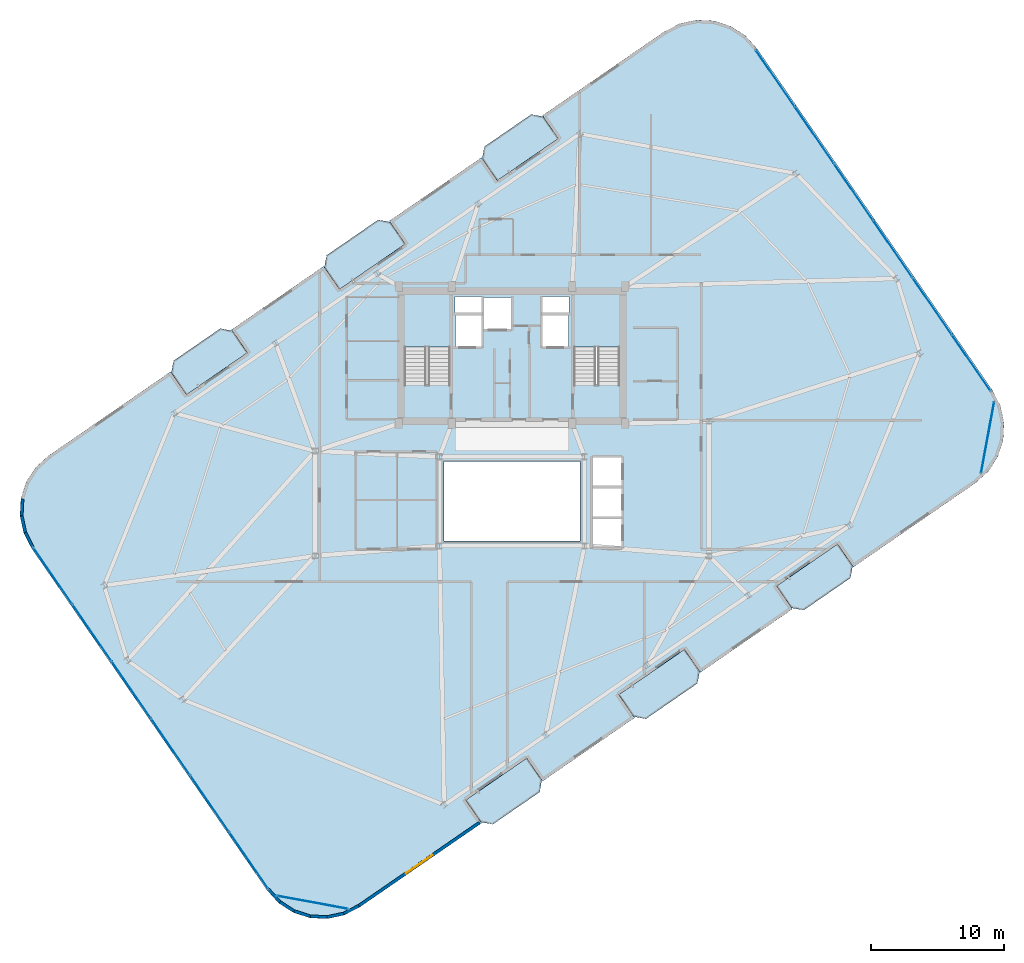
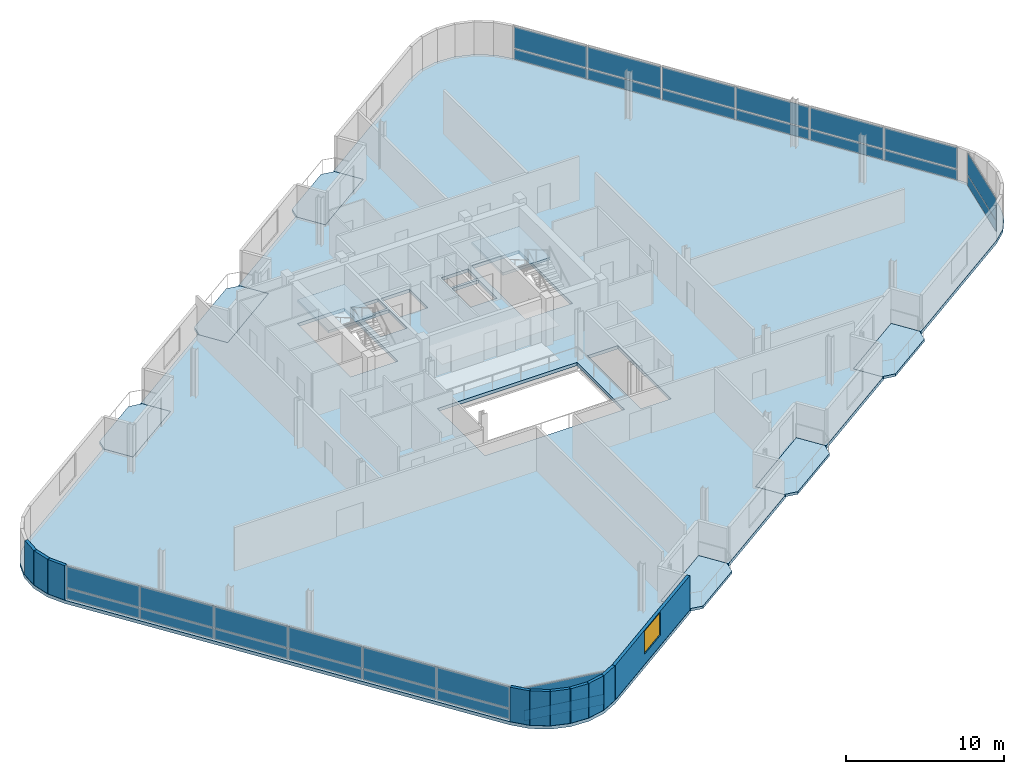
# One storey, part 16 of 23: 28 plates, 10 walls, 9 slabs, 1 window, 1 opening, 6 elements without a shape of their own.
"""IFC4 building model written with IfcOpenShell, lengths in metres."""

from ifc_helpers import new_model, si_unit, direction, frame, frame_2d, origin, origin_2d, place, context, subcontext, project, spatial, polyline, rectangle, outline, extrude, source, transform, mapped, material, layer, layer_set, type_object, element, fill, aggregate, save


model = new_model("IFC4")

# Units and contexts
model_context = context("Model", 3, precision=1e-05, world=origin(), true_north=direction((0.0, 1.0)))
body_context = subcontext(model_context, "Body", "Model", "MODEL_VIEW")
ifc_project = project(units=[si_unit("LENGTHUNIT", "METRE"), si_unit("AREAUNIT", "SQUARE_METRE"), si_unit("VOLUMEUNIT", "CUBIC_METRE"), si_unit("PLANEANGLEUNIT", "RADIAN"), si_unit("MASSUNIT", "GRAM", prefix="KILO")], contexts=[model_context])

# Site, building, storey
site_placement = place(None, origin())
site = spatial("IfcSite", under=ifc_project, at=site_placement, CompositionType="ELEMENT")
building_placement = place(site_placement, origin())
building = spatial("IfcBuilding", under=site, at=building_placement, Name="Varnelok Gate Tower", CompositionType="ELEMENT")
storey_placement = place(building_placement, frame((0.0, 0.0, 287.800048828125)))
storey = spatial("IfcBuildingStorey", under=building, at=storey_placement, Name="L74", CompositionType="ELEMENT", Elevation=287.800048828125)

# Slabs
ifc_material_1 = material(Name="Concrete C45/55", Category="concrete")
ifc_layer_1 = layer(ifc_material_1, 0.199951171875)
ifc_layer_set_1 = layer_set([ifc_layer_1], Name="Concrete C45/55")
slab_type_1 = type_object("IfcSlabType", Name="SLB-BALC-200", PredefinedType="FLOOR", material=ifc_layer_set_1)
slab_1_placement = place(storey_placement, frame((0.0, 0.0, -0.199951171875)))
element("IfcSlab", 1, at=slab_1_placement, inside=storey, type_object=slab_type_1, Name="L74 South Hollow Balcony 1", PredefinedType="FLOOR", context=body_context, shape_type="SweptSolid", body=[
    extrude(outline(polyline([(36.856201171875, -1.207275390625), (37.76025390625, -1.373779296875), (41.274169921875, 1.046630859375), (41.440673828125, 1.95068359375), (40.30615234375, 3.597900390625), (35.7216796875, 0.439697265625), (36.856201171875, -1.207275390625)])), origin(), (0.0, 0.0, 1.0), 0.199951171875),
])
slab_2_placement = place(storey_placement, frame((0.0, 0.0, -0.199951171875)))
element("IfcSlab", 2, at=slab_2_placement, inside=storey, type_object=slab_type_1, Name="L74 South Hollow Balcony 2", PredefinedType="FLOOR", context=body_context, shape_type="SweptSolid", body=[
    extrude(outline(polyline([(48.3583984375, 6.7158203125), (49.262451171875, 6.54931640625), (53.133056640625, 9.21533203125), (53.299560546875, 10.119384765625), (52.1650390625, 11.7666015625), (47.223876953125, 8.36279296875), (48.3583984375, 6.7158203125)])), origin(), (0.0, 0.0, 1.0), 0.199951171875),
])
slab_3_placement = place(storey_placement, frame((0.0, 0.0, -0.199951171875)))
element("IfcSlab", 3, at=slab_3_placement, inside=storey, type_object=slab_type_1, Name="L74 South Hollow Balcony 3", PredefinedType="FLOOR", context=body_context, shape_type="SweptSolid", body=[
    extrude(outline(polyline([(60.21728515625, 14.884521484375), (61.121337890625, 14.718017578125), (64.63525390625, 17.138427734375), (64.802001953125, 18.04248046875), (63.66748046875, 19.689453125), (59.082763671875, 16.531494140625), (60.21728515625, 14.884521484375)])), origin(), (0.0, 0.0, 1.0), 0.199951171875),
])
slab_4_placement = place(storey_placement, frame((0.0, 0.0, -0.199951171875)))
element("IfcSlab", 4, at=slab_4_placement, inside=storey, type_object=slab_type_1, Name="L74 North Hollow Balcony 1", PredefinedType="FLOOR", context=body_context, shape_type="SweptSolid", body=[
    extrude(outline(polyline([(14.732666015625, 30.910400390625), (19.3173828125, 34.068603515625), (18.1826171875, 35.715576171875), (17.27880859375, 35.882080078125), (13.7646484375, 33.461669921875), (13.59814453125, 32.5576171875), (14.732666015625, 30.910400390625)])), origin(), (0.0, 0.0, 1.0), 0.199951171875),
])
slab_5_placement = place(storey_placement, frame((0.0, 0.0, -0.199951171875)))
element("IfcSlab", 5, at=slab_5_placement, inside=storey, type_object=slab_type_1, Name="L74 North Hollow Balcony 2", PredefinedType="FLOOR", context=body_context, shape_type="SweptSolid", body=[
    extrude(outline(polyline([(26.23486328125, 38.83349609375), (31.176025390625, 42.2373046875), (30.04150390625, 43.88427734375), (29.1376953125, 44.05078125), (25.26708984375, 41.384521484375), (25.100341796875, 40.480712890625), (26.23486328125, 38.83349609375)])), origin(), (0.0, 0.0, 1.0), 0.199951171875),
])
slab_6_placement = place(storey_placement, frame((0.0, 0.0, -0.199951171875)))
element("IfcSlab", 6, at=slab_6_placement, inside=storey, type_object=slab_type_1, Name="L74 North Hollow Balcony 3", PredefinedType="FLOOR", context=body_context, shape_type="SweptSolid", body=[
    extrude(outline(polyline([(38.09375, 47.002197265625), (42.678466796875, 50.16015625), (41.5439453125, 51.807373046875), (40.639892578125, 51.973876953125), (37.125732421875, 49.55322265625), (36.959228515625, 48.6494140625), (38.09375, 47.002197265625)])), origin(), (0.0, 0.0, 1.0), 0.199951171875),
])

# Stair, slab
ifc_material_2 = material(Name="Concrete C50/60", Category="concrete")
stair_type = type_object("IfcStairType", Name="STR-CORE-1650", PredefinedType="HALF_TURN_STAIR", material=ifc_material_2)
stair_1_placement = place(storey_placement, origin())
stair_1 = element("IfcStair", 7, at=stair_1_placement, inside=storey, type_object=stair_type, Name="L74 Exit Stair ST-1", PredefinedType="HALF_TURN_STAIR")
ifc_layer_2 = layer(ifc_material_1, 0.199951171875)
ifc_layer_set_2 = layer_set([ifc_layer_2], Name="Concrete C45/55")
slab_type_2 = type_object("IfcSlabType", Name="SLB-LAND-200", PredefinedType="LANDING", material=ifc_layer_set_2)
slab_7_placement = place(storey_placement, frame((0.0, 0.0, 1.64990234375)))
slab_7 = element("IfcSlab", 8, at=slab_7_placement, type_object=slab_type_2, Name="ST-1 landing 1", PredefinedType="LANDING", context=body_context, shape_type="SweptSolid", body=[
    extrude(outline(polyline([(34.550048828125, 34.5), (34.550048828125, 38.449951171875), (31.10009765625, 38.449951171875), (31.10009765625, 34.5), (34.550048828125, 34.5)])), origin(), (0.0, 0.0, 1.0), 0.199951171875),
])
aggregate(stair_1, [slab_7])

stair_2_placement = place(storey_placement, origin())
stair_2 = element("IfcStair", 9, at=stair_2_placement, inside=storey, type_object=stair_type, Name="L74 Exit Stair ST-2", PredefinedType="HALF_TURN_STAIR")
slab_8_placement = place(storey_placement, frame((0.0, 0.0, 1.64990234375)))
slab_8 = element("IfcSlab", 10, at=slab_8_placement, type_object=slab_type_2, Name="ST-2 landing 1", PredefinedType="LANDING", context=body_context, shape_type="SweptSolid", body=[
    extrude(outline(polyline([(47.300048828125, 34.5), (47.300048828125, 38.449951171875), (43.85009765625, 38.449951171875), (43.85009765625, 34.5), (47.300048828125, 34.5)])), origin(), (0.0, 0.0, 1.0), 0.199951171875),
])
aggregate(stair_2, [slab_8])

# Slab
ifc_layer_3 = layer(ifc_material_2, 0.25)
ifc_layer_set_3 = layer_set([ifc_layer_3], Name="Concrete C50/60")
slab_type_3 = type_object("IfcSlabType", Name="SLB-TYP-250", PredefinedType="FLOOR", material=ifc_layer_set_3)
slab_9_placement = place(storey_placement, frame((0.0, 0.0, -0.25)))
element("IfcSlab", 11, at=slab_9_placement, inside=storey, type_object=slab_type_3, Name="L74 Structural Floor Slab", PredefinedType="FLOOR", context=body_context, shape_type="SweptSolid", body=[
    extrude(outline(polyline([(20.79052734375, -6.32373046875), (21.664794921875, -7.292724609375), (22.76025390625, -8.00244140625), (24.002197265625, -8.404541015625), (25.3056640625, -8.471435546875), (26.58203125, -8.19873046875), (27.744384765625, -7.60498046875), (36.25439453125, -1.7431640625), (36.912841796875, -1.28955078125), (35.7216796875, 0.439697265625), (40.30615234375, 3.597900390625), (41.49755859375, 1.868408203125), (48.4150390625, 6.63330078125), (47.223876953125, 8.36279296875), (52.1650390625, 11.7666015625), (53.356201171875, 10.037109375), (60.27392578125, 14.802001953125), (59.082763671875, 16.531494140625), (63.66748046875, 19.689453125), (64.858642578125, 17.960205078125), (65.51708984375, 18.413818359375), (74.027099609375, 24.275390625), (74.99609375, 25.14990234375), (75.705810546875, 26.245361328125), (76.10791015625, 27.487060546875), (76.1748046875, 28.79052734375), (75.902099609375, 30.067138671875), (75.308349609375, 31.2294921875), (57.609619140625, 56.923583984375), (56.735107421875, 57.892822265625), (55.6396484375, 58.6025390625), (54.39794921875, 59.00439453125), (53.094482421875, 59.071533203125), (51.81787109375, 58.798828125), (50.655517578125, 58.205078125), (42.145751953125, 52.34326171875), (41.487060546875, 51.8896484375), (42.678466796875, 50.16015625), (38.09375, 47.002197265625), (36.902587890625, 48.731689453125), (29.98486328125, 43.966552734375), (31.176025390625, 42.2373046875), (26.23486328125, 38.83349609375), (25.043701171875, 40.56298828125), (18.1259765625, 35.7978515625), (19.3173828125, 34.068603515625), (14.732666015625, 30.910400390625), (13.54150390625, 32.639892578125), (12.8828125, 32.186279296875), (4.373046875, 26.324462890625), (3.40380859375, 25.4501953125), (2.694091796875, 24.354736328125), (2.292236328125, 23.11279296875), (2.22509765625, 21.809326171875), (2.497802734375, 20.532958984375), (3.091796875, 19.37060546875), (20.79052734375, -6.32373046875)]), holes=[polyline([(34.550048828125, 31.679931640625), (34.550048828125, 38.449951171875), (31.10009765625, 38.449951171875), (31.10009765625, 31.679931640625), (34.550048828125, 31.679931640625)]), polyline([(47.300048828125, 31.679931640625), (47.300048828125, 38.449951171875), (43.85009765625, 38.449951171875), (43.85009765625, 31.679931640625), (47.300048828125, 31.679931640625)]), polyline([(34.949951171875, 34.550048828125), (36.89990234375, 34.550048828125), (36.89990234375, 36.89990234375), (34.949951171875, 36.89990234375), (34.949951171875, 34.550048828125)]), polyline([(41.5, 34.550048828125), (43.449951171875, 34.550048828125), (43.449951171875, 36.89990234375), (41.5, 36.89990234375), (41.5, 34.550048828125)]), polyline([(37.050048828125, 35.85009765625), (39.14990234375, 35.85009765625), (39.14990234375, 38.199951171875), (37.050048828125, 38.199951171875), (37.050048828125, 35.85009765625)]), polyline([(45.25, 19.449951171875), (47.449951171875, 19.449951171875), (47.449951171875, 26.199951171875), (45.25, 26.199951171875), (45.25, 19.449951171875)]), polyline([(34.919921875, 37.080078125), (36.89990234375, 37.080078125), (36.89990234375, 38.280029296875), (34.919921875, 38.280029296875), (34.919921875, 37.080078125)]), polyline([(41.5, 37.080078125), (43.47998046875, 37.080078125), (43.47998046875, 38.280029296875), (41.5, 38.280029296875), (41.5, 37.080078125)]), polyline([(34.10009765625, 19.89990234375), (44.300048828125, 19.89990234375), (44.300048828125, 25.89990234375), (34.10009765625, 25.89990234375), (34.10009765625, 19.89990234375)])]), origin(), (0.0, 0.0, 1.0), 0.25),
])

# Curtain wall, plate
ifc_material_3 = material(Name="Anodized Aluminum Alloy 6063-T6", Category="aluminium")
ifc_layer_4 = layer(ifc_material_3, 0.179931640625)
ifc_layer_set_4 = layer_set([ifc_layer_4], Name="Anodized Aluminum Alloy 6063-T6")
curtain_wall_type_1 = type_object("IfcCurtainWallType", Name="CW5-WINDCORNER-GLAZ", PredefinedType="USERDEFINED", material=ifc_layer_set_4)
curtain_wall_1_placement = place(storey_placement, origin())
curtain_wall_1 = element("IfcCurtainWall", 12, at=curtain_wall_1_placement, inside=storey, type_object=curtain_wall_type_1, Name="L74 Wind-Shaped Corner Curtain Wall SW", ObjectType="STRUCTURAL GLAZING", PredefinedType="USERDEFINED")
ifc_material_4 = material(Name="Low-E Laminated Double Glazing IGU", Category="glass")
ifc_layer_5 = layer(ifc_material_4, 0.0419921875)
ifc_layer_set_5 = layer_set([ifc_layer_5], Name="Low-E Laminated Double Glazing IGU")
plate_type_1 = type_object("IfcPlateType", Name="CW-PNL-SPN42", PredefinedType="CURTAIN_PANEL", material=ifc_layer_set_5)
shared_shape_1 = source(origin(), body_context, "Body", "SweptSolid", [
    extrude(rectangle(XDim=5.385498046875, YDim=0.0419921875, at=origin_2d()), origin(), (0.0, 0.0, 1.0), 0.802490234375),
])
plate_1_placement = place(storey_placement, frame((24.21630859375, -7.242431640625, 0.06494140625), z_axis=(0.0, 0.0, 1.0), x_axis=(0.983445962106, -0.181201654564, 0.0)))
plate_1 = element("IfcPlate", 13, at=plate_1_placement, type_object=plate_type_1, Name="CW5 panel 1.1", PredefinedType="CURTAIN_PANEL", context=body_context, shape_type="MappedRepresentation", body=[
    mapped(shared_shape_1, transform((0.0, 0.0, 0.0), scale=1.0)),
])

curtain_wall_2_placement = place(storey_placement, origin())
curtain_wall_2 = element("IfcCurtainWall", 14, at=curtain_wall_2_placement, inside=storey, type_object=curtain_wall_type_1, Name="L74 Wind-Shaped Corner Curtain Wall SE", ObjectType="STRUCTURAL GLAZING", PredefinedType="USERDEFINED")
plate_2_placement = place(storey_placement, frame((74.94580078125, 27.701171875, 0.06494140625), z_axis=(0.0, 0.0, 1.0), x_axis=(0.181201654564, 0.983445962106, 0.0)))
plate_2 = element("IfcPlate", 15, at=plate_2_placement, type_object=plate_type_1, Name="CW5 panel 1.1", PredefinedType="CURTAIN_PANEL", context=body_context, shape_type="MappedRepresentation", body=[
    mapped(shared_shape_1, transform((0.0, 0.0, 0.0), scale=1.0)),
])

# Curtain wall, plates
ifc_layer_6 = layer(ifc_material_3, 0.179931640625)
ifc_layer_set_6 = layer_set([ifc_layer_6], Name="Anodized Aluminum Alloy 6063-T6")
curtain_wall_type_2 = type_object("IfcCurtainWallType", Name="CW6-CROWN-LOOKOUT", PredefinedType="USERDEFINED", material=ifc_layer_set_6)
curtain_wall_3_placement = place(storey_placement, origin())
curtain_wall_3 = element("IfcCurtainWall", 16, at=curtain_wall_3_placement, inside=storey, type_object=curtain_wall_type_2, Name="L74 West End Vision Curtain Wall", ObjectType="STRUCTURAL GLAZING", PredefinedType="USERDEFINED")
ifc_layer_7 = layer(ifc_material_4, 0.035888671875)
ifc_layer_set_7 = layer_set([ifc_layer_7], Name="Low-E Laminated Double Glazing IGU")
plate_type_2 = type_object("IfcPlateType", Name="CW-PNL-IGU36", PredefinedType="CURTAIN_PANEL", material=ifc_layer_set_7)
shared_shape_2 = source(origin(), body_context, "Body", "SweptSolid", [
    extrude(rectangle(XDim=5.08740234375, YDim=0.035888671875, at=origin_2d()), origin(), (0.0, 0.0, 1.0), 0.78759765625),
])
plate_3_placement = place(storey_placement, frame((19.420166015625, -4.087646484375, 0.074951171875), z_axis=(0.0, 0.0, 1.0), x_axis=(-0.567269395376, 0.823532290241, 0.0)))
plate_3 = element("IfcPlate", 17, at=plate_3_placement, type_object=plate_type_2, Name="CW6 panel 1.1", PredefinedType="CURTAIN_PANEL", context=body_context, shape_type="MappedRepresentation", body=[
    mapped(shared_shape_2, transform((0.0, 0.0, 0.0), scale=1.0)),
])
plate_4_placement = place(storey_placement, frame((4.692626953125, 17.293212890625, 0.074951171875), z_axis=(0.0, 0.0, 1.0), x_axis=(-0.567269395376, 0.823532290241, 0.0)))
plate_4 = element("IfcPlate", 18, at=plate_4_placement, type_object=plate_type_2, Name="CW6 panel 6.1", PredefinedType="CURTAIN_PANEL", context=body_context, shape_type="MappedRepresentation", body=[
    mapped(shared_shape_2, transform((0.0, 0.0, 0.0), scale=1.0)),
])

curtain_wall_4_placement = place(storey_placement, origin())
curtain_wall_4 = element("IfcCurtainWall", 19, at=curtain_wall_4_placement, inside=storey, type_object=curtain_wall_type_2, Name="L74 East End Vision Curtain Wall", ObjectType="STRUCTURAL GLAZING", PredefinedType="USERDEFINED")
plate_5_placement = place(storey_placement, frame((58.979736328125, 54.687744140625, 0.074951171875), z_axis=(0.0, 0.0, 1.0), x_axis=(0.567269395376, -0.823532290241, 0.0)))
plate_5 = element("IfcPlate", 20, at=plate_5_placement, type_object=plate_type_2, Name="CW6 panel 1.1", PredefinedType="CURTAIN_PANEL", context=body_context, shape_type="MappedRepresentation", body=[
    mapped(shared_shape_2, transform((0.0, 0.0, 0.0), scale=1.0)),
])
plate_6_placement = place(storey_placement, frame((73.70751953125, 33.306640625, 0.074951171875), z_axis=(0.0, 0.0, 1.0), x_axis=(0.567269395376, -0.823532290241, 0.0)))
plate_6 = element("IfcPlate", 21, at=plate_6_placement, type_object=plate_type_2, Name="CW6 panel 6.1", PredefinedType="CURTAIN_PANEL", context=body_context, shape_type="MappedRepresentation", body=[
    mapped(shared_shape_2, transform((0.0, 0.0, 0.0), scale=1.0)),
])

# Plate
shared_shape_3 = source(origin(), body_context, "Body", "SweptSolid", [
    extrude(rectangle(XDim=5.125, YDim=0.035888671875, at=origin_2d()), origin(), (0.0, 0.0, 1.0), 0.78759765625),
])
plate_7_placement = place(storey_placement, frame((16.481201171875, 0.17919921875, 0.074951171875), z_axis=(0.0, 0.0, 1.0), x_axis=(-0.567269395376, 0.823532290241, 0.0)))
plate_7 = element("IfcPlate", 22, at=plate_7_placement, type_object=plate_type_2, Name="CW6 panel 2.1", PredefinedType="CURTAIN_PANEL", context=body_context, shape_type="MappedRepresentation", body=[
    mapped(shared_shape_3, transform((0.0, 0.0, 0.0), scale=1.0)),
])

plate_8_placement = place(storey_placement, frame((13.53125, 4.461669921875, 0.074951171875), z_axis=(0.0, 0.0, 1.0), x_axis=(-0.567269395376, 0.823532290241, 0.0)))
plate_8 = element("IfcPlate", 23, at=plate_8_placement, type_object=plate_type_2, Name="CW6 panel 3.1", PredefinedType="CURTAIN_PANEL", context=body_context, shape_type="MappedRepresentation", body=[
    mapped(shared_shape_3, transform((0.0, 0.0, 0.0), scale=1.0)),
])

plate_9_placement = place(storey_placement, frame((10.58154296875, 8.743896484375, 0.074951171875), z_axis=(0.0, 0.0, 1.0), x_axis=(-0.567269395376, 0.823532290241, 0.0)))
plate_9 = element("IfcPlate", 24, at=plate_9_placement, type_object=plate_type_2, Name="CW6 panel 4.1", PredefinedType="CURTAIN_PANEL", context=body_context, shape_type="MappedRepresentation", body=[
    mapped(shared_shape_3, transform((0.0, 0.0, 0.0), scale=1.0)),
])

plate_10_placement = place(storey_placement, frame((7.631591796875, 13.0263671875, 0.074951171875), z_axis=(0.0, 0.0, 1.0), x_axis=(-0.567269395376, 0.823532290241, 0.0)))
plate_10 = element("IfcPlate", 25, at=plate_10_placement, type_object=plate_type_2, Name="CW6 panel 5.1", PredefinedType="CURTAIN_PANEL", context=body_context, shape_type="MappedRepresentation", body=[
    mapped(shared_shape_3, transform((0.0, 0.0, 0.0), scale=1.0)),
])

plate_11_placement = place(storey_placement, frame((61.9189453125, 50.420654296875, 0.074951171875), z_axis=(0.0, 0.0, 1.0), x_axis=(0.567269395376, -0.823532290241, 0.0)))
plate_11 = element("IfcPlate", 26, at=plate_11_placement, type_object=plate_type_2, Name="CW6 panel 2.1", PredefinedType="CURTAIN_PANEL", context=body_context, shape_type="MappedRepresentation", body=[
    mapped(shared_shape_3, transform((0.0, 0.0, 0.0), scale=1.0)),
])

plate_12_placement = place(storey_placement, frame((64.86865234375, 46.138427734375, 0.074951171875), z_axis=(0.0, 0.0, 1.0), x_axis=(0.567269395376, -0.823532290241, 0.0)))
plate_12 = element("IfcPlate", 27, at=plate_12_placement, type_object=plate_type_2, Name="CW6 panel 3.1", PredefinedType="CURTAIN_PANEL", context=body_context, shape_type="MappedRepresentation", body=[
    mapped(shared_shape_3, transform((0.0, 0.0, 0.0), scale=1.0)),
])

plate_13_placement = place(storey_placement, frame((67.818603515625, 41.85595703125, 0.074951171875), z_axis=(0.0, 0.0, 1.0), x_axis=(0.567269395376, -0.823532290241, 0.0)))
plate_13 = element("IfcPlate", 28, at=plate_13_placement, type_object=plate_type_2, Name="CW6 panel 4.1", PredefinedType="CURTAIN_PANEL", context=body_context, shape_type="MappedRepresentation", body=[
    mapped(shared_shape_3, transform((0.0, 0.0, 0.0), scale=1.0)),
])

plate_14_placement = place(storey_placement, frame((70.768310546875, 37.57373046875, 0.074951171875), z_axis=(0.0, 0.0, 1.0), x_axis=(0.567269395376, -0.823532290241, 0.0)))
plate_14 = element("IfcPlate", 29, at=plate_14_placement, type_object=plate_type_2, Name="CW6 panel 5.1", PredefinedType="CURTAIN_PANEL", context=body_context, shape_type="MappedRepresentation", body=[
    mapped(shared_shape_3, transform((0.0, 0.0, 0.0), scale=1.0)),
])

shared_shape_4 = source(origin(), body_context, "Body", "SweptSolid", [
    extrude(rectangle(XDim=5.08740234375, YDim=0.035888671875, at=origin_2d()), origin(), (0.0, 0.0, 1.0), 1.6474609375),
])
plate_15_placement = place(storey_placement, frame((19.420166015625, -4.087646484375, 0.9375), z_axis=(0.0, 0.0, 1.0), x_axis=(-0.567269395376, 0.823532290241, 0.0)))
plate_15 = element("IfcPlate", 30, at=plate_15_placement, type_object=plate_type_2, Name="CW6 panel 1.2", PredefinedType="CURTAIN_PANEL", context=body_context, shape_type="MappedRepresentation", body=[
    mapped(shared_shape_4, transform((0.0, 0.0, 0.0), scale=1.0)),
])

plate_16_placement = place(storey_placement, frame((4.692626953125, 17.293212890625, 0.9375), z_axis=(0.0, 0.0, 1.0), x_axis=(-0.567269395376, 0.823532290241, 0.0)))
plate_16 = element("IfcPlate", 31, at=plate_16_placement, type_object=plate_type_2, Name="CW6 panel 6.2", PredefinedType="CURTAIN_PANEL", context=body_context, shape_type="MappedRepresentation", body=[
    mapped(shared_shape_4, transform((0.0, 0.0, 0.0), scale=1.0)),
])

plate_17_placement = place(storey_placement, frame((58.979736328125, 54.687744140625, 0.9375), z_axis=(0.0, 0.0, 1.0), x_axis=(0.567269395376, -0.823532290241, 0.0)))
plate_17 = element("IfcPlate", 32, at=plate_17_placement, type_object=plate_type_2, Name="CW6 panel 1.2", PredefinedType="CURTAIN_PANEL", context=body_context, shape_type="MappedRepresentation", body=[
    mapped(shared_shape_4, transform((0.0, 0.0, 0.0), scale=1.0)),
])

plate_18_placement = place(storey_placement, frame((73.70751953125, 33.306640625, 0.9375), z_axis=(0.0, 0.0, 1.0), x_axis=(0.567269395376, -0.823532290241, 0.0)))
plate_18 = element("IfcPlate", 33, at=plate_18_placement, type_object=plate_type_2, Name="CW6 panel 6.2", PredefinedType="CURTAIN_PANEL", context=body_context, shape_type="MappedRepresentation", body=[
    mapped(shared_shape_4, transform((0.0, 0.0, 0.0), scale=1.0)),
])

shared_shape_5 = source(origin(), body_context, "Body", "SweptSolid", [
    extrude(rectangle(XDim=5.125, YDim=0.035888671875, at=origin_2d()), origin(), (0.0, 0.0, 1.0), 1.6474609375),
])
plate_19_placement = place(storey_placement, frame((16.481201171875, 0.17919921875, 0.9375), z_axis=(0.0, 0.0, 1.0), x_axis=(-0.567269395376, 0.823532290241, 0.0)))
plate_19 = element("IfcPlate", 34, at=plate_19_placement, type_object=plate_type_2, Name="CW6 panel 2.2", PredefinedType="CURTAIN_PANEL", context=body_context, shape_type="MappedRepresentation", body=[
    mapped(shared_shape_5, transform((0.0, 0.0, 0.0), scale=1.0)),
])

plate_20_placement = place(storey_placement, frame((13.53125, 4.461669921875, 0.9375), z_axis=(0.0, 0.0, 1.0), x_axis=(-0.567269395376, 0.823532290241, 0.0)))
plate_20 = element("IfcPlate", 35, at=plate_20_placement, type_object=plate_type_2, Name="CW6 panel 3.2", PredefinedType="CURTAIN_PANEL", context=body_context, shape_type="MappedRepresentation", body=[
    mapped(shared_shape_5, transform((0.0, 0.0, 0.0), scale=1.0)),
])

plate_21_placement = place(storey_placement, frame((10.58154296875, 8.743896484375, 0.9375), z_axis=(0.0, 0.0, 1.0), x_axis=(-0.567269395376, 0.823532290241, 0.0)))
plate_21 = element("IfcPlate", 36, at=plate_21_placement, type_object=plate_type_2, Name="CW6 panel 4.2", PredefinedType="CURTAIN_PANEL", context=body_context, shape_type="MappedRepresentation", body=[
    mapped(shared_shape_5, transform((0.0, 0.0, 0.0), scale=1.0)),
])

plate_22_placement = place(storey_placement, frame((7.631591796875, 13.0263671875, 0.9375), z_axis=(0.0, 0.0, 1.0), x_axis=(-0.567269395376, 0.823532290241, 0.0)))
plate_22 = element("IfcPlate", 37, at=plate_22_placement, type_object=plate_type_2, Name="CW6 panel 5.2", PredefinedType="CURTAIN_PANEL", context=body_context, shape_type="MappedRepresentation", body=[
    mapped(shared_shape_5, transform((0.0, 0.0, 0.0), scale=1.0)),
])

aggregate(curtain_wall_3, [plate_3, plate_15, plate_7, plate_19, plate_8, plate_20, plate_9, plate_21, plate_10, plate_22, plate_4, plate_16])

plate_23_placement = place(storey_placement, frame((61.9189453125, 50.420654296875, 0.9375), z_axis=(0.0, 0.0, 1.0), x_axis=(0.567269395376, -0.823532290241, 0.0)))
plate_23 = element("IfcPlate", 38, at=plate_23_placement, type_object=plate_type_2, Name="CW6 panel 2.2", PredefinedType="CURTAIN_PANEL", context=body_context, shape_type="MappedRepresentation", body=[
    mapped(shared_shape_5, transform((0.0, 0.0, 0.0), scale=1.0)),
])

plate_24_placement = place(storey_placement, frame((64.86865234375, 46.138427734375, 0.9375), z_axis=(0.0, 0.0, 1.0), x_axis=(0.567269395376, -0.823532290241, 0.0)))
plate_24 = element("IfcPlate", 39, at=plate_24_placement, type_object=plate_type_2, Name="CW6 panel 3.2", PredefinedType="CURTAIN_PANEL", context=body_context, shape_type="MappedRepresentation", body=[
    mapped(shared_shape_5, transform((0.0, 0.0, 0.0), scale=1.0)),
])

plate_25_placement = place(storey_placement, frame((67.818603515625, 41.85595703125, 0.9375), z_axis=(0.0, 0.0, 1.0), x_axis=(0.567269395376, -0.823532290241, 0.0)))
plate_25 = element("IfcPlate", 40, at=plate_25_placement, type_object=plate_type_2, Name="CW6 panel 4.2", PredefinedType="CURTAIN_PANEL", context=body_context, shape_type="MappedRepresentation", body=[
    mapped(shared_shape_5, transform((0.0, 0.0, 0.0), scale=1.0)),
])

plate_26_placement = place(storey_placement, frame((70.768310546875, 37.57373046875, 0.9375), z_axis=(0.0, 0.0, 1.0), x_axis=(0.567269395376, -0.823532290241, 0.0)))
plate_26 = element("IfcPlate", 41, at=plate_26_placement, type_object=plate_type_2, Name="CW6 panel 5.2", PredefinedType="CURTAIN_PANEL", context=body_context, shape_type="MappedRepresentation", body=[
    mapped(shared_shape_5, transform((0.0, 0.0, 0.0), scale=1.0)),
])

aggregate(curtain_wall_4, [plate_5, plate_17, plate_11, plate_23, plate_12, plate_24, plate_13, plate_25, plate_14, plate_26, plate_6, plate_18])

shared_shape_6 = source(origin(), body_context, "Body", "SweptSolid", [
    extrude(rectangle(XDim=5.385498046875, YDim=0.0419921875, at=origin_2d()), origin(), (0.0, 0.0, 1.0), 1.66259765625),
])
plate_27_placement = place(storey_placement, frame((24.21630859375, -7.242431640625, 0.932373046875), z_axis=(0.0, 0.0, 1.0), x_axis=(0.983445962106, -0.181201654564, 0.0)))
plate_27 = element("IfcPlate", 42, at=plate_27_placement, type_object=plate_type_1, Name="CW5 panel 1.2", PredefinedType="CURTAIN_PANEL", context=body_context, shape_type="MappedRepresentation", body=[
    mapped(shared_shape_6, transform((0.0, 0.0, 0.0), scale=1.0)),
])

aggregate(curtain_wall_1, [plate_1, plate_27])

plate_28_placement = place(storey_placement, frame((74.94580078125, 27.701171875, 0.932373046875), z_axis=(0.0, 0.0, 1.0), x_axis=(0.181201654564, 0.983445962106, 0.0)))
plate_28 = element("IfcPlate", 43, at=plate_28_placement, type_object=plate_type_1, Name="CW5 panel 1.2", PredefinedType="CURTAIN_PANEL", context=body_context, shape_type="MappedRepresentation", body=[
    mapped(shared_shape_6, transform((0.0, 0.0, 0.0), scale=1.0)),
])

aggregate(curtain_wall_2, [plate_2, plate_28])

# Walls
ifc_layer_8 = layer(ifc_material_1, 0.219970703125)
ifc_layer_set_8 = layer_set([ifc_layer_8], Name="Concrete C45/55")
wall_type = type_object("IfcWallType", Name="EW-BALC-220", PredefinedType="SOLIDWALL", material=ifc_layer_set_8)
wall_1_placement = place(storey_placement, frame((20.89013671875, -6.255126953125, 0.0), z_axis=(0.0, 0.0, 1.0), x_axis=(0.669949059844, -0.74240706975, 0.0)))
element("IfcWall", 44, at=wall_1_placement, inside=storey, type_object=wall_type, Name="L74 Perimeter Facade Closure Wall 1", PredefinedType="SOLIDWALL", context=body_context, shape_type="SweptSolid", body=[
    extrude(rectangle(XDim=1.273681640625, YDim=0.219970703125, at=frame_2d((0.63671875, 0.0))), origin(), (0.0, 0.0, 1.0), 2.659912109375),
])
for number, where, z_axis, x_axis, name in (
    (45, (21.764404296875, -7.21435546875, 0.0), (0.0, 0.0, 1.0), (0.839229000731, -0.543778157277, 0.0), "L74 Perimeter Facade Closure Wall 2"),
    (46, (22.836181640625, -7.90087890625, 0.0), (0.0, 0.0, 1.0), (0.951385542995, -0.308002513919, 0.0), "L74 Perimeter Facade Closure Wall 3"),
    (47, (24.049072265625, -8.286865234375, 0.0), (0.0, 0.0, 1.0), (0.998686637427, -0.051234756022, 0.0), "L74 Perimeter Facade Closure Wall 4"),
):
    element("IfcWall", number, at=place(storey_placement, frame(where, z_axis=z_axis, x_axis=x_axis)), inside=storey, type_object=wall_type, Name=name, PredefinedType="SOLIDWALL", context=body_context, shape_type="SweptSolid", body=[
        extrude(rectangle(XDim=1.24853515625, YDim=0.219970703125, at=frame_2d((0.624267578125, 0.0))), origin(), (0.0, 0.0, 1.0), 2.659912109375),
    ])
wall_2_placement = place(storey_placement, frame((25.3203125, -8.345703125, 0.0), z_axis=(0.0, 0.0, 1.0), x_axis=(0.977916710262, 0.208994994656, 0.0)))
element("IfcWall", 48, at=wall_2_placement, inside=storey, type_object=wall_type, Name="L74 Perimeter Facade Closure Wall 5", PredefinedType="SOLIDWALL", context=body_context, shape_type="SweptSolid", body=[
    extrude(rectangle(XDim=1.248779296875, YDim=0.219970703125, at=frame_2d((0.62451171875, 0.0))), origin(), (0.0, 0.0, 1.0), 2.659912109375),
])
wall_3_placement = place(storey_placement, frame((26.563720703125, -8.073486328125, 0.0), z_axis=(0.0, 0.0, 1.0), x_axis=(0.890508147271, 0.454967295137, 0.0)))
element("IfcWall", 49, at=wall_3_placement, inside=storey, type_object=wall_type, Name="L74 Perimeter Facade Closure Wall 6", PredefinedType="SOLIDWALL", context=body_context, shape_type="SweptSolid", body=[
    extrude(rectangle(XDim=1.2568359375, YDim=0.219970703125, at=frame_2d((0.62841796875, 0.0))), origin(), (0.0, 0.0, 1.0), 2.659912109375),
])

# Wall, opening, window
wall_4_placement = place(storey_placement, frame((27.70361328125, -7.487548828125, 0.0), z_axis=(0.0, 0.0, 1.0), x_axis=(0.823529068157, 0.567274073003, 0.0)))
wall_4 = element("IfcWall", 50, at=wall_4_placement, inside=storey, type_object=wall_type, Name="L74 Perimeter Facade Closure Wall 7", PredefinedType="SOLIDWALL", context=body_context, shape_type="SweptSolid", body=[
    extrude(rectangle(XDim=10.980224609375, YDim=0.219970703125, at=frame_2d((5.490234375, 0.0))), origin(), (0.0, 0.0, 1.0), 2.659912109375),
])
opening_placement = place(wall_4_placement, frame((4.2900390625, 0.0, 0.800048828125)))
opening = element("IfcOpeningElement", 51, at=opening_placement, cuts=wall_4, Name="Opening WN6A", PredefinedType="OPENING", context=body_context, shape_type="SweptSolid", body=[
    extrude(rectangle(XDim=2.39990234375, YDim=1.780029296875, at=frame_2d((1.199951171875, 0.89013671875))), frame((0.0, 0.119873046875, 0.0), z_axis=(0.0, -1.0, 0.0), x_axis=(1.0, 0.0, 0.0)), (0.0, 0.0, 1.0), 0.239990234375),
])
window_type = type_object("IfcWindowType", Name="WN-PEN-2400X1780", PartitioningType="SINGLE_PANEL", PredefinedType="WINDOW", material=ifc_material_4)
window_placement = place(opening_placement, origin())
window = element("IfcWindow", 52, at=window_placement, inside=storey, type_object=window_type, Name="L74 Perimeter Vision Window 7", OverallHeight=1.780029296875, OverallWidth=2.39990234375, PartitioningType="SINGLE_PANEL", PredefinedType="WINDOW", context=body_context, shape_type="SweptSolid", body=[
    extrude(rectangle(XDim=2.39990234375, YDim=1.780029296875, at=frame_2d((1.199951171875, 0.89013671875))), frame((0.0, 0.030029296875, 0.0), z_axis=(0.0, -1.0, 0.0), x_axis=(1.0, 0.0, 0.0)), (0.0, 0.0, 1.0), 0.06005859375),
])
fill(opening, window)

# Walls
wall_5_placement = place(storey_placement, frame((2.409912109375, 23.06591796875, 0.0), z_axis=(0.0, 0.0, 1.0), x_axis=(-0.051234756022, -0.998686637427, 0.0)))
element("IfcWall", 53, at=wall_5_placement, inside=storey, type_object=wall_type, Name="L74 Perimeter Facade Closure Wall 42", PredefinedType="SOLIDWALL", context=body_context, shape_type="SweptSolid", body=[
    extrude(rectangle(XDim=1.24853515625, YDim=0.219970703125, at=frame_2d((0.624267578125, 0.0))), origin(), (0.0, 0.0, 1.0), 2.659912109375),
])
for number, where, z_axis, x_axis, name in (
    (54, (2.35107421875, 21.794677734375, 0.0), (0.0, 0.0, 1.0), (0.208994994656, -0.977916710262, 0.0), "L74 Perimeter Facade Closure Wall 43"),
    (55, (2.623291015625, 20.55126953125, 0.0), (0.0, 0.0, 1.0), (0.454938817534, -0.890522696118, 0.0), "L74 Perimeter Facade Closure Wall 44"),
):
    element("IfcWall", number, at=place(storey_placement, frame(where, z_axis=z_axis, x_axis=x_axis)), inside=storey, type_object=wall_type, Name=name, PredefinedType="SOLIDWALL", context=body_context, shape_type="SweptSolid", body=[
        extrude(rectangle(XDim=1.248779296875, YDim=0.219970703125, at=frame_2d((0.62451171875, 0.0))), origin(), (0.0, 0.0, 1.0), 2.659912109375),
    ])

save(model, "model.ifc")
